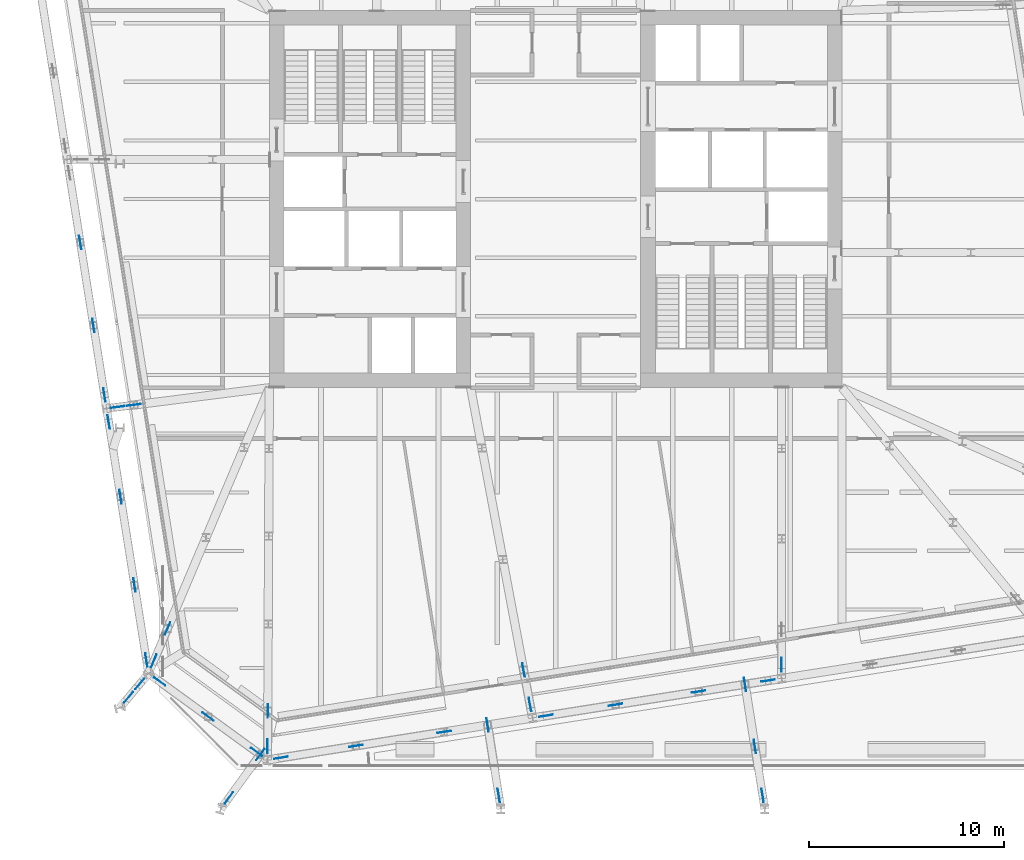
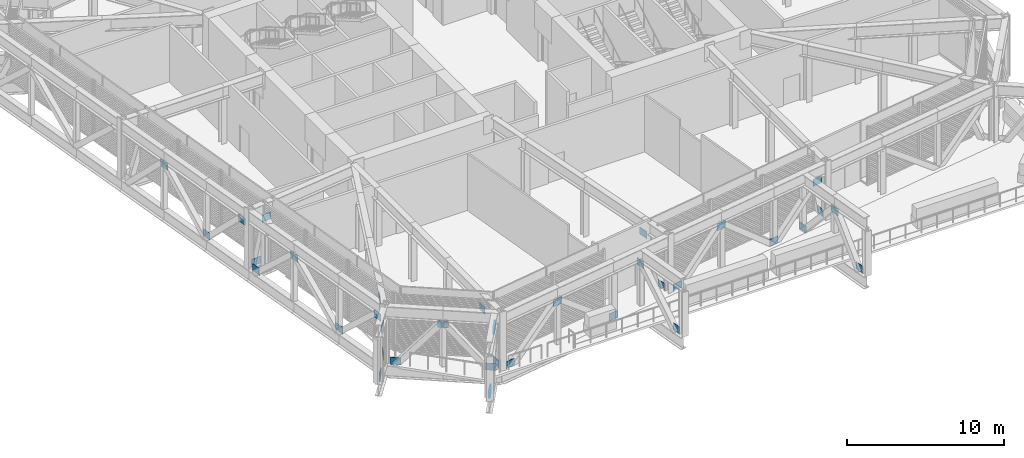
# One storey, part 25 of 32: 35 discrete accessories.
"""IFC4 building model written with IfcOpenShell, lengths in metres."""

from ifc_helpers import new_model, si_unit, direction, frame, origin, origin_2d, place, context, subcontext, project, spatial, rectangle, extrude, material, layer, layer_set, type_object, element, save


model = new_model("IFC4")

# Units and contexts
model_context = context("Model", 3, precision=1e-05, world=origin(), true_north=direction((0.0, 1.0)))
body_context = subcontext(model_context, "Body", "Model", "MODEL_VIEW")
ifc_project = project(units=[si_unit("LENGTHUNIT", "METRE"), si_unit("AREAUNIT", "SQUARE_METRE"), si_unit("VOLUMEUNIT", "CUBIC_METRE"), si_unit("PLANEANGLEUNIT", "RADIAN"), si_unit("MASSUNIT", "GRAM", prefix="KILO")], contexts=[model_context])

# Site, building, storey
site_placement = place(None, origin())
site = spatial("IfcSite", under=ifc_project, at=site_placement, CompositionType="ELEMENT")
building_placement = place(site_placement, origin())
building = spatial("IfcBuilding", under=site, at=building_placement, Name="Millrace Tower", CompositionType="ELEMENT")
storey_placement = place(building_placement, frame((0.0, 0.0, 124.89990234375)))
storey = spatial("IfcBuildingStorey", under=building, at=storey_placement, Name="L27", CompositionType="ELEMENT", Elevation=124.89990234375)

# Discrete accessories
ifc_material = material(Name="Steel ASTM A572 Grade 50", Category="steel")
ifc_layer = layer(ifc_material, 0.02490234375)
ifc_layer_set = layer_set([ifc_layer], Name="Steel ASTM A572 Grade 50")
discrete_accessory_type = type_object("IfcDiscreteAccessoryType", Name="Truss gusset plate 700x550x25", PredefinedType="BRACKET", material=ifc_layer_set)
for number, where, z_axis, x_axis, name in (
    (1, (-20.54638671875, -24.474853515625, 0.114990234375), (0.809112951205, -0.587653156371, 0.0), (0.587653156371, 0.809112951205, 0.0), "Truss gusset plate TRS-L27-R01-D01 foot"),
    (2, (-18.068359375, -26.275146484375, 3.20751953125), (0.809112951205, -0.587653156371, 0.0), (0.587653156371, 0.809112951205, 0.0), "Truss gusset plate TRS-L27-R01-D01 head"),
    (3, (-15.59033203125, -28.075439453125, 0.114990234375), (0.808992462271, -0.587819016355, 0.0), (0.587819016355, 0.808992462271, 0.0), "Truss gusset plate TRS-L27-R01-D02 foot"),
    (4, (-14.395263671875, -28.637939453125, 0.114990234375), (0.987663796475, 0.156589351913, 0.0), (-0.156589351913, 0.987663796475, 0.0), "Truss gusset plate TRS-L27-R02-D01 foot"),
    (5, (-10.56689453125, -28.031494140625, 3.20751953125), (0.987717677878, 0.156249124184, 0.0), (-0.156249124184, 0.987717677878, 0.0), "Truss gusset plate TRS-L27-R02-D01 head"),
    (6, (-6.047119140625, -27.315673828125, 0.114990234375), (0.987717677878, 0.156249124184, 0.0), (-0.156249124184, 0.987717677878, 0.0), "Truss gusset plate TRS-L27-R02-D02 foot"),
    (7, (-0.835693359375, -26.490234375, 0.114990234375), (0.987717677878, 0.156249124184, 0.0), (-0.156249124184, 0.987717677878, 0.0), "Truss gusset plate TRS-L27-R03-D01 foot"),
):
    element("IfcDiscreteAccessory", number, at=place(storey_placement, frame(where, z_axis=z_axis, x_axis=x_axis)), inside=storey, type_object=discrete_accessory_type, Name=name, PredefinedType="BRACKET", context=body_context, shape_type="SweptSolid", body=[
        extrude(rectangle(XDim=0.02490234375, YDim=0.550048828125, at=origin_2d()), origin(), (0.0, 0.0, 1.0), 0.699951171875),
    ])
discrete_accessory_1_placement = place(storey_placement, frame((2.719970703125, -25.927001953125, 3.20751953125), z_axis=(0.98770915867, 0.156302968239, 0.0), x_axis=(-0.156302968239, 0.98770915867, 0.0)))
element("IfcDiscreteAccessory", 8, at=discrete_accessory_1_placement, inside=storey, type_object=discrete_accessory_type, Name="Truss gusset plate TRS-L27-R03-D01 head", PredefinedType="BRACKET", context=body_context, shape_type="SweptSolid", body=[
    extrude(rectangle(XDim=0.02490234375, YDim=0.550048828125, at=origin_2d()), origin(), (0.0, 0.0, 1.0), 0.69970703125),
])
for number, where, z_axis, x_axis, name in (
    (9, (6.966796875, -25.25439453125, 0.114990234375), (0.987717677878, 0.156249124184, 0.0), (-0.156249124184, 0.987717677878, 0.0), "Truss gusset plate TRS-L27-R03-D02 foot"),
    (10, (10.522705078125, -24.69140625, 3.20751953125), (0.987663796475, 0.156589351913, 0.0), (-0.156589351913, 0.987663796475, 0.0), "Truss gusset plate TRS-L27-R03-D03 head"),
    (11, (-24.377197265625, -1.869873046875, 3.20751953125), (0.156589351913, -0.987663796475, 0.0), (0.987663796475, 0.156589351913, 0.0), "Truss gusset plate TRS-L27-R15-D01 head"),
    (12, (-23.70458984375, -6.116943359375, 0.114990234375), (0.156589351913, -0.987663796475, 0.0), (0.987663796475, 0.156589351913, 0.0), "Truss gusset plate TRS-L27-R15-D02 foot"),
    (13, (-23.141357421875, -9.672607421875, 3.20751953125), (0.156589351913, -0.987663796475, 0.0), (0.987663796475, 0.156589351913, 0.0), "Truss gusset plate TRS-L27-R15-D03 head"),
):
    element("IfcDiscreteAccessory", number, at=place(storey_placement, frame(where, z_axis=z_axis, x_axis=x_axis)), inside=storey, type_object=discrete_accessory_type, Name=name, PredefinedType="BRACKET", context=body_context, shape_type="SweptSolid", body=[
        extrude(rectangle(XDim=0.02490234375, YDim=0.550048828125, at=origin_2d()), origin(), (0.0, 0.0, 1.0), 0.699951171875),
    ])
discrete_accessory_2_placement = place(storey_placement, frame((-22.92236328125, -11.055419921875, 0.114990234375), z_axis=(0.156643307321, -0.987655240593, 0.0), x_axis=(0.987655240593, 0.156643307321, 0.0)))
element("IfcDiscreteAccessory", 14, at=discrete_accessory_2_placement, inside=storey, type_object=discrete_accessory_type, Name="Truss gusset plate TRS-L27-R16-D01 foot", PredefinedType="BRACKET", context=body_context, shape_type="SweptSolid", body=[
    extrude(rectangle(XDim=0.02490234375, YDim=0.550048828125, at=origin_2d()), origin(), (0.0, 0.0, 1.0), 0.69970703125),
])
for number, where, z_axis, x_axis, name in (
    (15, (-22.31591796875, -14.8837890625, 3.20751953125), (0.156589351913, -0.987663796475, 0.0), (0.987663796475, 0.156589351913, 0.0), "Truss gusset plate TRS-L27-R16-D01 head"),
    (16, (-21.60009765625, -19.403564453125, 0.114990234375), (0.156589351913, -0.987663796475, 0.0), (0.987663796475, 0.156589351913, 0.0), "Truss gusset plate TRS-L27-R16-D02 foot"),
    (17, (-20.99365234375, -23.23193359375, 3.20751953125), (0.156249124184, -0.987717677878, 0.0), (0.987717677878, 0.156249124184, 0.0), "Truss gusset plate TRS-L27-R16-D03 head"),
    (18, (-20.693115234375, -23.94677734375, 0.114990234375), (0.38924172048, 0.921135648555, 0.0), (-0.921135648555, 0.38924172048, 0.0), "Truss gusset plate TRS-L27-C01-D01 foot"),
):
    element("IfcDiscreteAccessory", number, at=place(storey_placement, frame(where, z_axis=z_axis, x_axis=x_axis)), inside=storey, type_object=discrete_accessory_type, Name=name, PredefinedType="BRACKET", context=body_context, shape_type="SweptSolid", body=[
        extrude(rectangle(XDim=0.02490234375, YDim=0.550048828125, at=origin_2d()), origin(), (0.0, 0.0, 1.0), 0.699951171875),
    ])
for number, where, z_axis, x_axis, name in (
    (19, (-19.992431640625, -22.288818359375, 3.20751953125), (0.389537599324, 0.921010563844, 0.0), (-0.921010563844, 0.389537599324, 0.0), "Truss gusset plate TRS-L27-C01-D01 head"),
    (20, (-14.7392578125, -28.3427734375, 0.114990234375), (0.00488139233, 0.999988085933, 0.0), (-0.999988085933, 0.00488139233, 0.0), "Truss gusset plate TRS-L27-C02-D01 foot"),
):
    element("IfcDiscreteAccessory", number, at=place(storey_placement, frame(where, z_axis=z_axis, x_axis=x_axis)), inside=storey, type_object=discrete_accessory_type, Name=name, PredefinedType="BRACKET", context=body_context, shape_type="SweptSolid", body=[
        extrude(rectangle(XDim=0.02490234375, YDim=0.550048828125, at=origin_2d()), origin(), (0.0, 0.0, 1.0), 0.7001953125),
    ])
discrete_accessory_3_placement = place(storey_placement, frame((-14.730712890625, -26.542724609375, 3.20751953125), z_axis=(0.004883094903, 0.999988077621, 0.0), x_axis=(-0.999988077621, 0.004883094903, 0.0)))
element("IfcDiscreteAccessory", 21, at=discrete_accessory_3_placement, inside=storey, type_object=discrete_accessory_type, Name="Truss gusset plate TRS-L27-C02-D01 head", PredefinedType="BRACKET", context=body_context, shape_type="SweptSolid", body=[
    extrude(rectangle(XDim=0.02490234375, YDim=0.550048828125, at=origin_2d()), origin(), (0.0, 0.0, 1.0), 0.699951171875),
])
discrete_accessory_4_placement = place(storey_placement, frame((-1.375, -25.512939453125, 0.114990234375), z_axis=(0.184099064321, -0.982907693792, 0.0), x_axis=(0.982907693792, 0.184099064321, 0.0)))
element("IfcDiscreteAccessory", 22, at=discrete_accessory_4_placement, inside=storey, type_object=discrete_accessory_type, Name="Truss gusset plate TRS-L27-C03-D01 foot", PredefinedType="BRACKET", context=body_context, shape_type="SweptSolid", body=[
    extrude(rectangle(XDim=0.02490234375, YDim=0.550048828125, at=origin_2d()), origin(), (0.0, 0.0, 1.0), 0.7001953125),
])
for number, where, z_axis, x_axis, name in (
    (23, (-1.706787109375, -23.743896484375, 3.20751953125), (0.184162178688, -0.982895870345, 0.0), (0.982895870345, 0.184162178688, 0.0), "Truss gusset plate TRS-L27-C03-D01 head"),
    (24, (11.559814453125, -24.177001953125, 0.114990234375), (0.0, 1.0, 0.0), (-1.0, 0.0, 0.0), "Truss gusset plate TRS-L27-C04-D01 foot"),
):
    element("IfcDiscreteAccessory", number, at=place(storey_placement, frame(where, z_axis=z_axis, x_axis=x_axis)), inside=storey, type_object=discrete_accessory_type, Name=name, PredefinedType="BRACKET", context=body_context, shape_type="SweptSolid", body=[
        extrude(rectangle(XDim=0.02490234375, YDim=0.550048828125, at=origin_2d()), origin(), (0.0, 0.0, 1.0), 0.699951171875),
    ])
discrete_accessory_5_placement = place(storey_placement, frame((-22.768798828125, -10.68310546875, 0.114990234375), z_axis=(0.992001881269, 0.126223086474, 0.0), x_axis=(-0.126223086474, 0.992001881269, 0.0)))
element("IfcDiscreteAccessory", 25, at=discrete_accessory_5_placement, inside=storey, type_object=discrete_accessory_type, Name="Truss gusset plate TRS-L27-C16-D01 foot", PredefinedType="BRACKET", context=body_context, shape_type="SweptSolid", body=[
    extrude(rectangle(XDim=0.02490234375, YDim=0.550048828125, at=origin_2d()), origin(), (0.0, 0.0, 1.0), 0.7001953125),
])
discrete_accessory_6_placement = place(storey_placement, frame((-21.935302734375, -10.5771484375, 3.20751953125), z_axis=(0.991990759121, 0.126310465987, 0.0), x_axis=(-0.126310465987, 0.991990759121, 0.0)))
element("IfcDiscreteAccessory", 26, at=discrete_accessory_6_placement, inside=storey, type_object=discrete_accessory_type, Name="Truss gusset plate TRS-L27-C16-D01 head", PredefinedType="BRACKET", context=body_context, shape_type="SweptSolid", body=[
    extrude(rectangle(XDim=0.02490234375, YDim=0.550048828125, at=origin_2d()), origin(), (0.0, 0.0, 1.0), 0.69970703125),
])
for number, where, z_axis, x_axis, name in (
    (27, (-22.075439453125, -25.760009765625, 0.114990234375), (0.641144603809, 0.76742009161, 0.0), (-0.76742009161, 0.641144603809, 0.0), "Truss gusset plate TRS-L27-B-B-X01-D01 foot"),
    (28, (-21.502685546875, -25.07470703125, 3.20751953125), (0.641144603809, 0.76742009161, 0.0), (-0.76742009161, 0.641144603809, 0.0), "Truss gusset plate TRS-L27-B-B-X01-D01 head"),
    (29, (-16.922607421875, -30.916748046875, 0.114990234375), (0.587819016355, 0.808992462271, 0.0), (-0.808992462271, 0.587819016355, 0.0), "Truss gusset plate TRS-L27-B-B-X02-D01 foot"),
    (30, (-15.31689453125, -28.706787109375, 3.20751953125), (0.587653156371, 0.809112951205, 0.0), (-0.809112951205, 0.587653156371, 0.0), "Truss gusset plate TRS-L27-B-B-X02-D01 head"),
    (31, (-2.96435546875, -30.162841796875, 0.114990234375), (0.156589351913, -0.987663796475, 0.0), (0.987663796475, 0.156589351913, 0.0), "Truss gusset plate TRS-L27-B-B-X03-D01 foot"),
    (32, (-3.534423828125, -26.563232421875, 3.20751953125), (0.156589351913, -0.987663796475, 0.0), (0.987663796475, 0.156589351913, 0.0), "Truss gusset plate TRS-L27-B-B-X03-D01 head"),
    (33, (10.53564453125, -30.162841796875, 0.114990234375), (0.156589351913, -0.987663796475, 0.0), (0.987663796475, 0.156589351913, 0.0), "Truss gusset plate TRS-L27-B-B-X04-D01 foot"),
    (34, (10.140380859375, -27.666015625, 3.20751953125), (0.156249124184, -0.987717677878, 0.0), (0.987717677878, 0.156249124184, 0.0), "Truss gusset plate TRS-L27-B-B-X04-D01 head"),
    (35, (9.63525390625, -24.4775390625, 0.114990234375), (0.156589351913, -0.987663796475, 0.0), (0.987663796475, 0.156589351913, 0.0), "Truss gusset plate TRS-L27-B-B-X04-D02 foot"),
):
    element("IfcDiscreteAccessory", number, at=place(storey_placement, frame(where, z_axis=z_axis, x_axis=x_axis)), inside=storey, type_object=discrete_accessory_type, Name=name, PredefinedType="BRACKET", context=body_context, shape_type="SweptSolid", body=[
        extrude(rectangle(XDim=0.02490234375, YDim=0.550048828125, at=origin_2d()), origin(), (0.0, 0.0, 1.0), 0.699951171875),
    ])

save(model, "model.ifc")
